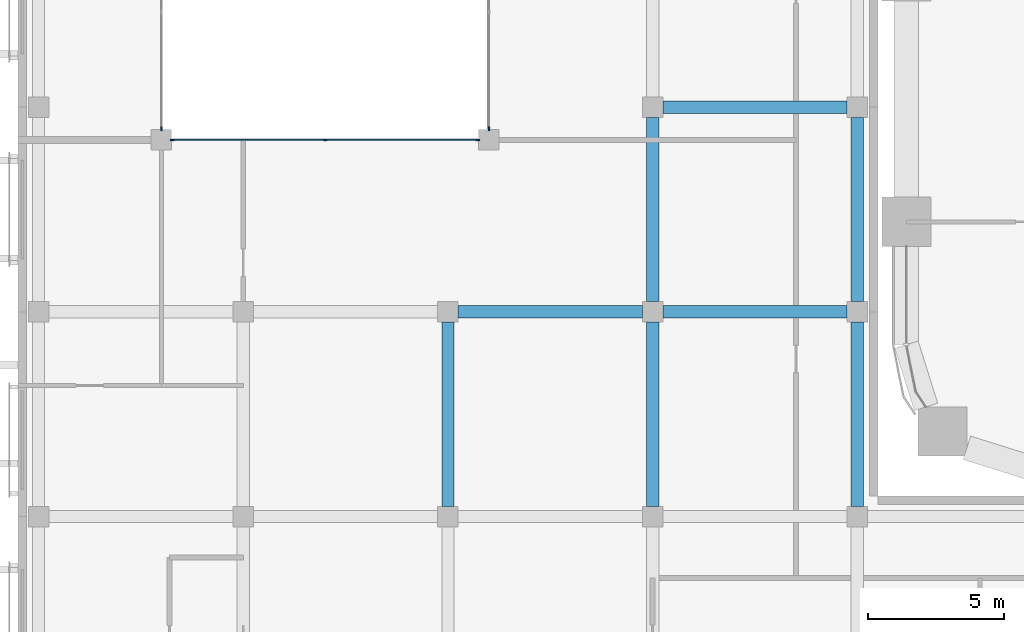
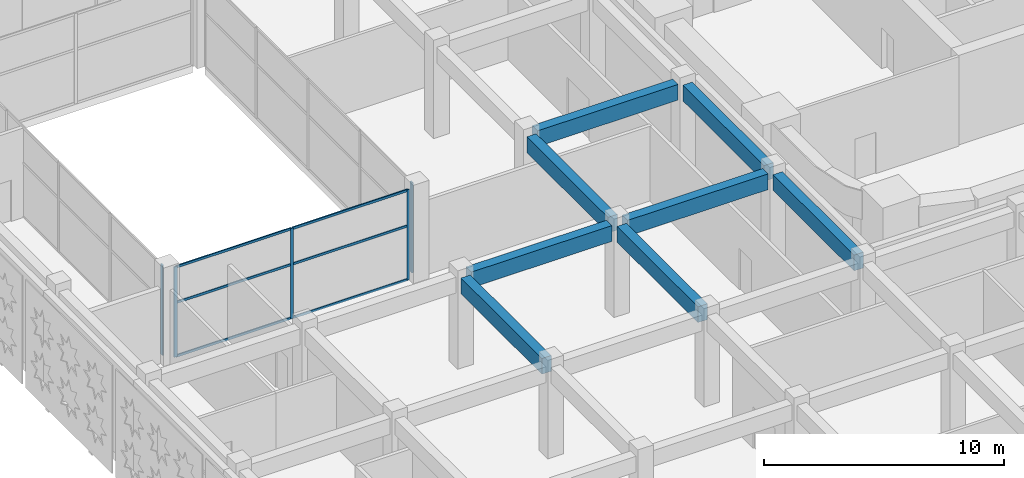
# One storey, part 2 of 40: 11 members, 8 beams, 3 elements without a shape of their own.
"""IFC4 building model written with IfcOpenShell, lengths in metres."""

from ifc_helpers import new_model, si_unit, direction, frame, origin, origin_2d, place, context, subcontext, project, spatial, rectangle, extrude, material, layer, layer_set, material_profile, profile_set, type_object, element, aggregate, save


model = new_model("IFC4")

# Units and contexts
model_context = context("Model", 3, precision=1e-05, world=origin(), true_north=direction((0.0, 1.0)))
body_context = subcontext(model_context, "Body", "Model", "MODEL_VIEW")
ifc_project = project(units=[si_unit("LENGTHUNIT", "METRE"), si_unit("AREAUNIT", "SQUARE_METRE"), si_unit("VOLUMEUNIT", "CUBIC_METRE"), si_unit("PLANEANGLEUNIT", "RADIAN"), si_unit("MASSUNIT", "GRAM", prefix="KILO")], contexts=[model_context])

# Site, building, storey
site_placement = place(None, origin())
site = spatial("IfcSite", under=ifc_project, at=site_placement, CompositionType="ELEMENT")
building_placement = place(site_placement, origin())
building = spatial("IfcBuilding", under=site, at=building_placement, Name="Tessera Arch", CompositionType="ELEMENT")
storey_placement = place(building_placement, frame((0.0, 0.0, 21.0)))
storey = spatial("IfcBuildingStorey", under=building, at=storey_placement, Name="L03", CompositionType="ELEMENT", Elevation=21.0)

# Curtain wall, members
ifc_material_1 = material(Name="Aluminium and clear glass", Category="aluminium")
ifc_layer = layer(ifc_material_1, 0.1201171875)
ifc_layer_set = layer_set([ifc_layer], Name="Courtyard curtain wall")
curtain_wall_type = type_object("IfcCurtainWallType", Name="Courtyard curtain wall", PredefinedType="NOTDEFINED", material=ifc_layer_set)
curtain_wall_1_placement = place(storey_placement, origin())
curtain_wall_1 = element("IfcCurtainWall", 1, at=curtain_wall_1_placement, inside=storey, type_object=curtain_wall_type, Name="Courtyard curtain wall L03 1", PredefinedType="NOTDEFINED")
ifc_material_2 = material(Name="Aluminium alloy anodised", Category="aluminium")
ifc_material_profile_1 = material_profile(ifc_material_2, rectangle(XDim=0.06005859375, YDim=0.14990234375, at=origin_2d()), Name="Courtyard mullion")
ifc_profile_set_1 = profile_set([ifc_material_profile_1], Name="Aluminium alloy anodised")
member_type_1 = type_object("IfcMemberType", Name="Courtyard mullion", PredefinedType="MULLION", material=ifc_profile_set_1)
member_1_placement = place(storey_placement, frame((-26.89501953125, 12.0, 0.0), z_axis=(0.0, 0.0, 1.0), x_axis=(0.0, 1.0, 0.0)))
member_1 = element("IfcMember", 2, at=member_1_placement, type_object=member_type_1, Name="MCW1 mullion 1", PredefinedType="MULLION", context=body_context, shape_type="SweptSolid", body=[
    extrude(rectangle(XDim=0.06005859375, YDim=0.14990234375, at=origin_2d()), origin(), (0.0, 0.0, 1.0), 4.590087890625),
])
member_2_placement = place(storey_placement, frame((-21.300048828125, 12.0, 0.0), z_axis=(0.0, 0.0, 1.0), x_axis=(0.0, 1.0, 0.0)))
member_2 = element("IfcMember", 3, at=member_2_placement, type_object=member_type_1, Name="MCW1 mullion 2", PredefinedType="MULLION", context=body_context, shape_type="SweptSolid", body=[
    extrude(rectangle(XDim=0.06005859375, YDim=0.14990234375, at=origin_2d()), origin(), (0.0, 0.0, 1.0), 4.590087890625),
])
member_3_placement = place(storey_placement, frame((-15.705078125, 12.0, 0.0), z_axis=(0.0, 0.0, 1.0), x_axis=(0.0, 1.0, 0.0)))
member_3 = element("IfcMember", 4, at=member_3_placement, type_object=member_type_1, Name="MCW1 mullion 3", PredefinedType="MULLION", context=body_context, shape_type="SweptSolid", body=[
    extrude(rectangle(XDim=0.06005859375, YDim=0.14990234375, at=origin_2d()), origin(), (0.0, 0.0, 1.0), 4.590087890625),
])

# Curtain wall, member
curtain_wall_2_placement = place(storey_placement, origin())
curtain_wall_2 = element("IfcCurtainWall", 5, at=curtain_wall_2_placement, inside=storey, type_object=curtain_wall_type, Name="Courtyard curtain wall L03 2", PredefinedType="NOTDEFINED")
member_4_placement = place(storey_placement, frame((-15.300048828125, 12.405029296875, 0.0), z_axis=(0.0, 0.0, 1.0), x_axis=(-1.0, 0.0, 0.0)))
member_4 = element("IfcMember", 6, at=member_4_placement, type_object=member_type_1, Name="MCW1 mullion 1", PredefinedType="MULLION", context=body_context, shape_type="SweptSolid", body=[
    extrude(rectangle(XDim=0.06005859375, YDim=0.14990234375, at=origin_2d()), origin(), (0.0, 0.0, 1.0), 4.590087890625),
])
aggregate(curtain_wall_2, [member_4])

curtain_wall_3_placement = place(storey_placement, origin())
curtain_wall_3 = element("IfcCurtainWall", 7, at=curtain_wall_3_placement, inside=storey, type_object=curtain_wall_type, Name="Courtyard curtain wall L03 4", PredefinedType="NOTDEFINED")
member_5_placement = place(storey_placement, frame((-27.300048828125, 12.405029296875, 0.0), z_axis=(0.0, 0.0, 1.0), x_axis=(1.0, 0.0, 0.0)))
member_5 = element("IfcMember", 8, at=member_5_placement, type_object=member_type_1, Name="MCW1 mullion 5", PredefinedType="MULLION", context=body_context, shape_type="SweptSolid", body=[
    extrude(rectangle(XDim=0.06005859375, YDim=0.14990234375, at=origin_2d()), origin(), (0.0, 0.0, 1.0), 4.590087890625),
])
aggregate(curtain_wall_3, [member_5])

# Member
ifc_material_3 = material(Name="Aluminium alloy anodised", Category="aluminium")
ifc_material_profile_2 = material_profile(ifc_material_3, rectangle(XDim=0.06005859375, YDim=0.1201171875, at=origin_2d()), Name="Courtyard transom")
ifc_profile_set_2 = profile_set([ifc_material_profile_2], Name="Aluminium alloy anodised")
member_type_2 = type_object("IfcMemberType", Name="Courtyard transom", PredefinedType="USERDEFINED", material=ifc_profile_set_2)
member_6_placement = place(storey_placement, frame((-26.864990234375, 12.0, 0.030029296875), z_axis=(1.0, 0.0, 0.0), x_axis=(0.0, 1.0, 0.0)))
member_6 = element("IfcMember", 9, at=member_6_placement, type_object=member_type_2, Name="MCW1 transom 1.1", ObjectType="TRANSOM", PredefinedType="USERDEFINED", context=body_context, shape_type="SweptSolid", body=[
    extrude(rectangle(XDim=0.06005859375, YDim=0.1201171875, at=origin_2d()), origin(), (0.0, 0.0, 1.0), 5.534912109375),
])

member_7_placement = place(storey_placement, frame((-26.864990234375, 12.0, 2.75390625), z_axis=(1.0, 0.0, 0.0), x_axis=(0.0, 1.0, 0.0)))
member_7 = element("IfcMember", 10, at=member_7_placement, type_object=member_type_2, Name="MCW1 transom 1.2", ObjectType="TRANSOM", PredefinedType="USERDEFINED", context=body_context, shape_type="SweptSolid", body=[
    extrude(rectangle(XDim=0.06005859375, YDim=0.1201171875, at=origin_2d()), origin(), (0.0, 0.0, 1.0), 5.534912109375),
])

member_8_placement = place(storey_placement, frame((-26.864990234375, 12.0, 4.56005859375), z_axis=(1.0, 0.0, 0.0), x_axis=(0.0, 1.0, 0.0)))
member_8 = element("IfcMember", 11, at=member_8_placement, type_object=member_type_2, Name="MCW1 transom 1.3", ObjectType="TRANSOM", PredefinedType="USERDEFINED", context=body_context, shape_type="SweptSolid", body=[
    extrude(rectangle(XDim=0.06005859375, YDim=0.1201171875, at=origin_2d()), origin(), (0.0, 0.0, 1.0), 5.534912109375),
])

member_9_placement = place(storey_placement, frame((-21.27001953125, 12.0, 0.030029296875), z_axis=(1.0, 0.0, 0.0), x_axis=(0.0, 1.0, 0.0)))
member_9 = element("IfcMember", 12, at=member_9_placement, type_object=member_type_2, Name="MCW1 transom 2.1", ObjectType="TRANSOM", PredefinedType="USERDEFINED", context=body_context, shape_type="SweptSolid", body=[
    extrude(rectangle(XDim=0.06005859375, YDim=0.1201171875, at=origin_2d()), origin(), (0.0, 0.0, 1.0), 5.534912109375),
])

member_10_placement = place(storey_placement, frame((-21.27001953125, 12.0, 2.75390625), z_axis=(1.0, 0.0, 0.0), x_axis=(0.0, 1.0, 0.0)))
member_10 = element("IfcMember", 13, at=member_10_placement, type_object=member_type_2, Name="MCW1 transom 2.2", ObjectType="TRANSOM", PredefinedType="USERDEFINED", context=body_context, shape_type="SweptSolid", body=[
    extrude(rectangle(XDim=0.06005859375, YDim=0.1201171875, at=origin_2d()), origin(), (0.0, 0.0, 1.0), 5.534912109375),
])

member_11_placement = place(storey_placement, frame((-21.27001953125, 12.0, 4.56005859375), z_axis=(1.0, 0.0, 0.0), x_axis=(0.0, 1.0, 0.0)))
member_11 = element("IfcMember", 14, at=member_11_placement, type_object=member_type_2, Name="MCW1 transom 2.3", ObjectType="TRANSOM", PredefinedType="USERDEFINED", context=body_context, shape_type="SweptSolid", body=[
    extrude(rectangle(XDim=0.06005859375, YDim=0.1201171875, at=origin_2d()), origin(), (0.0, 0.0, 1.0), 5.534912109375),
])

aggregate(curtain_wall_1, [member_1, member_2, member_3, member_6, member_7, member_8, member_9, member_10, member_11])

# Beams
ifc_material_4 = material(Name="Concrete C40/50", Category="concrete")
ifc_material_profile_3 = material_profile(ifc_material_4, rectangle(XDim=0.449951171875, YDim=0.800048828125, at=origin_2d()), Name="Museum beam 450 x 800 Concrete C40/50")
ifc_profile_set_3 = profile_set([ifc_material_profile_3], Name="Concrete C40/50")
beam_type = type_object("IfcBeamType", Name="Museum beam 450 x 800 Concrete C40/50", PredefinedType="BEAM", material=ifc_profile_set_3)
for number, where, z_axis, x_axis, name in (
    (15, (-16.800048828125, -1.425048828125, 4.18994140625), (0.0, 1.0, 0.0), (-1.0, 0.0, 0.0), "Museum beam L03 17"),
    (16, (-9.300048828125, -1.425048828125, 4.18994140625), (0.0, 1.0, 0.0), (-1.0, 0.0, 0.0), "Museum beam L03 26"),
    (17, (-9.300048828125, 6.074951171875, 4.18994140625), (0.0, 1.0, 0.0), (-1.0, 0.0, 0.0), "Museum beam L03 27"),
    (18, (-1.800048828125, -1.425048828125, 4.18994140625), (0.0, 1.0, 0.0), (-1.0, 0.0, 0.0), "Museum beam L03 38"),
    (19, (-1.800048828125, 6.074951171875, 4.18994140625), (0.0, 1.0, 0.0), (-1.0, 0.0, 0.0), "Museum beam L03 39"),
    (20, (-16.425048828125, 5.699951171875, 4.18994140625), (1.0, 0.0, 0.0), (0.0, 1.0, 0.0), "Museum beam L03 71"),
    (21, (-8.925048828125, 5.699951171875, 4.18994140625), (1.0, 0.0, 0.0), (0.0, 1.0, 0.0), "Museum beam L03 72"),
    (22, (-8.925048828125, 13.199951171875, 4.18994140625), (1.0, 0.0, 0.0), (0.0, 1.0, 0.0), "Museum beam L03 73"),
):
    element("IfcBeam", number, at=place(storey_placement, frame(where, z_axis=z_axis, x_axis=x_axis)), inside=storey, type_object=beam_type, Name=name, PredefinedType="BEAM", context=body_context, shape_type="SweptSolid", body=[
        extrude(rectangle(XDim=0.449951171875, YDim=0.800048828125, at=origin_2d()), origin(), (0.0, 0.0, 1.0), 6.75),
    ])

save(model, "model.ifc")
